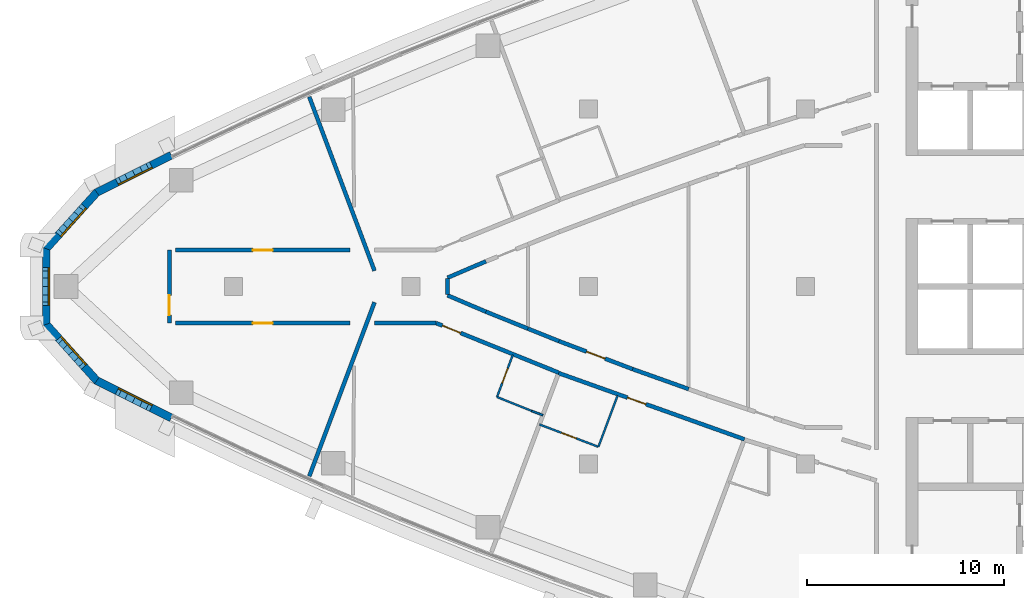
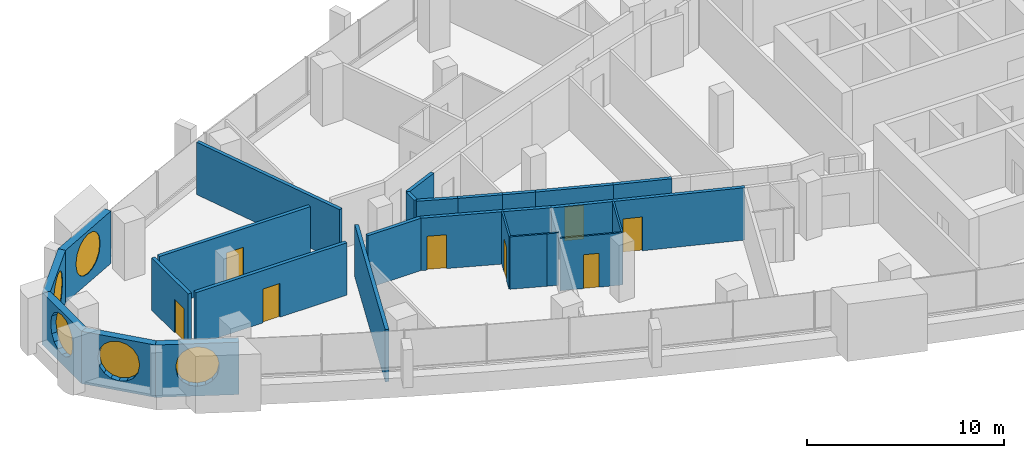
# One storey, part 8 of 16: 25 walls, 8 doors, 5 windows, 13 openings.
"""IFC4 building model written with IfcOpenShell, lengths in metres."""

from ifc_helpers import new_model, si_unit, direction, frame, frame_2d, origin, place, context, subcontext, project, spatial, polyline, rectangle, outline, extrude, material, layer, layer_set, type_object, element, fill, save


model = new_model("IFC4")

# Units and contexts
model_context = context("Model", 3, precision=1e-05, world=origin(), true_north=direction((0.0, 1.0)))
body_context = subcontext(model_context, "Body", "Model", "MODEL_VIEW")
ifc_project = project(units=[si_unit("LENGTHUNIT", "METRE"), si_unit("AREAUNIT", "SQUARE_METRE"), si_unit("VOLUMEUNIT", "CUBIC_METRE"), si_unit("PLANEANGLEUNIT", "RADIAN"), si_unit("MASSUNIT", "GRAM", prefix="KILO")], contexts=[model_context])

# Site, building, storey
site_placement = place(None, origin())
site = spatial("IfcSite", under=ifc_project, at=site_placement, CompositionType="ELEMENT")
building_placement = place(site_placement, origin())
building = spatial("IfcBuilding", under=site, at=building_placement, Name="Ostrand Prow Hotel Tower", CompositionType="ELEMENT")
storey_placement = place(building_placement, frame((0.0, 0.0, 227.89990234375)))
storey = spatial("IfcBuildingStorey", under=building, at=storey_placement, Name="L57", CompositionType="ELEMENT", Elevation=227.89990234375)

# Wall, opening, door
ifc_material_1 = material(Name="Plasterboard partition")
ifc_layer_1 = layer(ifc_material_1, 0.10009765625)
ifc_layer_set_1 = layer_set([ifc_layer_1], Name="Plasterboard partition")
wall_type_1 = type_object("IfcWallType", Name="Partition 100 bathroom wall", PredefinedType="PARTITIONING", material=ifc_layer_set_1)
wall_1_placement = place(storey_placement, frame((29.360107421875, -5.599853515625, 0.0), z_axis=(0.0, 0.0, 1.0), x_axis=(0.351158682313, 0.936315961541, 0.0)))
wall_1 = element("IfcWall", 1, at=wall_1_placement, inside=storey, type_object=wall_type_1, Name="BATHROOM WALL", PredefinedType="PARTITIONING", context=body_context, shape_type="SweptSolid", body=[
    extrude(rectangle(XDim=2.277587890625, YDim=0.10009765625, at=frame_2d((1.138671875, 0.0))), origin(), (0.0, 0.0, 1.0), 3.25),
])
opening_1_placement = place(wall_1_placement, frame((0.75, 0.0, 0.0)))
opening_1 = element("IfcOpeningElement", 2, at=opening_1_placement, cuts=wall_1, Name="Opening D2", PredefinedType="OPENING", context=body_context, shape_type="SweptSolid", body=[
    extrude(rectangle(XDim=0.800048828125, YDim=2.10009765625, at=frame_2d((0.39990234375, 1.050048828125))), frame((0.0, 0.06005859375, 0.0), z_axis=(0.0, -1.0, 0.0), x_axis=(1.0, 0.0, 0.0)), (0.0, 0.0, 1.0), 0.1201171875),
])
ifc_material_2 = material(Name="Timber door leaf", Category="wood")
door_type_1 = type_object("IfcDoorType", Name="Bathroom door 800", OperationType="SINGLE_SWING_LEFT", PredefinedType="DOOR", material=ifc_material_2)
door_1_placement = place(opening_1_placement, origin())
door_1 = element("IfcDoor", 3, at=door_1_placement, inside=storey, type_object=door_type_1, Name="DOOR", OperationType="SINGLE_SWING_LEFT", OverallHeight=2.10009765625, OverallWidth=0.800048828125, PredefinedType="DOOR", context=body_context, shape_type="SweptSolid", body=[
    extrude(rectangle(XDim=0.800048828125, YDim=2.10009765625, at=frame_2d((0.39990234375, 1.050048828125))), frame((0.0, 0.02490234375, 0.0), z_axis=(0.0, -1.0, 0.0), x_axis=(1.0, 0.0, 0.0)), (0.0, 0.0, 1.0), 0.050048828125),
])
fill(opening_1, door_1)

# Walls
wall_2_placement = place(storey_placement, frame((31.68408203125, -6.5224609375, 0.0), z_axis=(0.0, 0.0, 1.0), x_axis=(-0.935048188903, 0.354520640342, 0.0)))
element("IfcWall", 4, at=wall_2_placement, inside=storey, type_object=wall_type_1, Name="BATHROOM WALL", PredefinedType="PARTITIONING", context=body_context, shape_type="SweptSolid", body=[
    extrude(rectangle(XDim=0.60595703125, YDim=0.10009765625, at=frame_2d((0.302978515625, 0.0))), origin(), (0.0, 0.0, 1.0), 3.25),
])
wall_3_placement = place(storey_placement, frame((31.117431640625, -6.3076171875, 0.0), z_axis=(0.0, 0.0, 1.0), x_axis=(-0.927594225674, 0.373589283166, 0.0)))
element("IfcWall", 5, at=wall_3_placement, inside=storey, type_object=wall_type_1, Name="BATHROOM WALL", PredefinedType="PARTITIONING", context=body_context, shape_type="SweptSolid", body=[
    extrude(rectangle(XDim=1.89453125, YDim=0.10009765625, at=frame_2d((0.947265625, 0.0))), origin(), (0.0, 0.0, 1.0), 3.25),
])
wall_4_placement = place(storey_placement, frame((35.475341796875, -5.52587890625, 0.0), z_axis=(0.0, 0.0, 1.0), x_axis=(-0.351065630332, -0.936350854755, 0.0)))
element("IfcWall", 6, at=wall_4_placement, inside=storey, type_object=wall_type_1, Name="BATHROOM WALL", PredefinedType="PARTITIONING", context=body_context, shape_type="SweptSolid", body=[
    extrude(rectangle(XDim=2.77685546875, YDim=0.10009765625, at=frame_2d((1.388427734375, 0.0))), origin(), (0.0, 0.0, 1.0), 3.25),
])

# Wall, opening, door
wall_5_placement = place(storey_placement, frame((34.500244140625, -8.1259765625, 0.0), z_axis=(0.0, 0.0, 1.0), x_axis=(-0.934948661714, 0.354783032232, 0.0)))
wall_5 = element("IfcWall", 7, at=wall_5_placement, inside=storey, type_object=wall_type_1, Name="BATHROOM WALL", PredefinedType="PARTITIONING", context=body_context, shape_type="SweptSolid", body=[
    extrude(rectangle(XDim=3.199951171875, YDim=0.10009765625, at=frame_2d((1.60009765625, 0.0))), origin(), (0.0, 0.0, 1.0), 3.25),
])
opening_2_placement = place(wall_5_placement, frame((1.199951171875, 0.0, 0.0)))
opening_2 = element("IfcOpeningElement", 8, at=opening_2_placement, cuts=wall_5, Name="Opening D2", PredefinedType="OPENING", context=body_context, shape_type="SweptSolid", body=[
    extrude(rectangle(XDim=0.800048828125, YDim=2.10009765625, at=frame_2d((0.39990234375, 1.050048828125))), frame((0.0, 0.06005859375, 0.0), z_axis=(0.0, -1.0, 0.0), x_axis=(1.0, 0.0, 0.0)), (0.0, 0.0, 1.0), 0.1201171875),
])
door_2_placement = place(opening_2_placement, origin())
door_2 = element("IfcDoor", 9, at=door_2_placement, inside=storey, type_object=door_type_1, Name="DOOR", OperationType="SINGLE_SWING_LEFT", OverallHeight=2.10009765625, OverallWidth=0.800048828125, PredefinedType="DOOR", context=body_context, shape_type="SweptSolid", body=[
    extrude(rectangle(XDim=0.800048828125, YDim=2.10009765625, at=frame_2d((0.39990234375, 1.050048828125))), frame((0.0, 0.02490234375, 0.0), z_axis=(0.0, -1.0, 0.0), x_axis=(1.0, 0.0, 0.0)), (0.0, 0.0, 1.0), 0.050048828125),
])
fill(opening_2, door_2)

ifc_material_3 = material(Name="Plasterboard partition")
ifc_layer_2 = layer(ifc_material_3, 0.199951171875)
ifc_layer_set_2 = layer_set([ifc_layer_2], Name="Plasterboard partition")
wall_type_2 = type_object("IfcWallType", Name="Partition 200 corridor wall", PredefinedType="PARTITIONING", material=ifc_layer_set_2)
wall_6_placement = place(storey_placement, frame((13.051513671875, 1.85009765625, 0.0), z_axis=(0.0, 0.0, 1.0), x_axis=(1.0, 0.0, 0.0)))
wall_6 = element("IfcWall", 10, at=wall_6_placement, inside=storey, type_object=wall_type_2, Name="CORRIDOR WALL", PredefinedType="PARTITIONING", context=body_context, shape_type="SweptSolid", body=[
    extrude(rectangle(XDim=8.86083984375, YDim=0.199951171875, at=frame_2d((4.430419921875, 0.0))), origin(), (0.0, 0.0, 1.0), 3.25),
])
opening_3_placement = place(wall_6_placement, frame((3.930419921875, 0.0, 0.0)))
opening_3 = element("IfcOpeningElement", 11, at=opening_3_placement, cuts=wall_6, Name="Opening D1", PredefinedType="OPENING", context=body_context, shape_type="SweptSolid", body=[
    extrude(rectangle(XDim=1.0, YDim=2.10009765625, at=frame_2d((0.5, 1.050048828125))), frame((0.0, 0.10986328125, 0.0), z_axis=(0.0, -1.0, 0.0), x_axis=(1.0, 0.0, 0.0)), (0.0, 0.0, 1.0), 0.219970703125),
])
ifc_material_4 = material(Name="Timber door leaf", Category="wood")
door_type_2 = type_object("IfcDoorType", Name="Guest room door 1000", OperationType="SINGLE_SWING_LEFT", PredefinedType="DOOR", material=ifc_material_4)
door_3_placement = place(opening_3_placement, origin())
door_3 = element("IfcDoor", 12, at=door_3_placement, inside=storey, type_object=door_type_2, Name="DOOR", OperationType="SINGLE_SWING_LEFT", OverallHeight=2.10009765625, OverallWidth=1.0, PredefinedType="DOOR", context=body_context, shape_type="SweptSolid", body=[
    extrude(rectangle(XDim=1.0, YDim=2.10009765625, at=frame_2d((0.5, 1.050048828125))), frame((0.0, 0.02490234375, 0.0), z_axis=(0.0, -1.0, 0.0), x_axis=(1.0, 0.0, 0.0)), (0.0, 0.0, 1.0), 0.050048828125),
])
fill(opening_3, door_3)

wall_7_placement = place(storey_placement, frame((13.051513671875, -1.85009765625, 0.0), z_axis=(0.0, 0.0, 1.0), x_axis=(1.0, 0.0, 0.0)))
wall_7 = element("IfcWall", 13, at=wall_7_placement, inside=storey, type_object=wall_type_2, Name="CORRIDOR WALL", PredefinedType="PARTITIONING", context=body_context, shape_type="SweptSolid", body=[
    extrude(rectangle(XDim=8.86083984375, YDim=0.199951171875, at=frame_2d((4.430419921875, 0.0))), origin(), (0.0, 0.0, 1.0), 3.25),
])
opening_4_placement = place(wall_7_placement, frame((3.930419921875, 0.0, 0.0)))
opening_4 = element("IfcOpeningElement", 14, at=opening_4_placement, cuts=wall_7, Name="Opening D1R", PredefinedType="OPENING", context=body_context, shape_type="SweptSolid", body=[
    extrude(rectangle(XDim=1.0, YDim=2.10009765625, at=frame_2d((0.5, 1.050048828125))), frame((0.0, 0.10986328125, 0.0), z_axis=(0.0, -1.0, 0.0), x_axis=(1.0, 0.0, 0.0)), (0.0, 0.0, 1.0), 0.219970703125),
])
ifc_material_5 = material(Name="Timber door leaf", Category="wood")
door_type_3 = type_object("IfcDoorType", Name="Guest room door 1000 right", OperationType="SINGLE_SWING_RIGHT", PredefinedType="DOOR", material=ifc_material_5)
door_4_placement = place(opening_4_placement, origin())
door_4 = element("IfcDoor", 15, at=door_4_placement, inside=storey, type_object=door_type_3, Name="DOOR", OperationType="SINGLE_SWING_RIGHT", OverallHeight=2.10009765625, OverallWidth=1.0, PredefinedType="DOOR", context=body_context, shape_type="SweptSolid", body=[
    extrude(rectangle(XDim=1.0, YDim=2.10009765625, at=frame_2d((0.5, 1.050048828125))), frame((0.0, 0.02490234375, 0.0), z_axis=(0.0, -1.0, 0.0), x_axis=(1.0, 0.0, 0.0)), (0.0, 0.0, 1.0), 0.050048828125),
])
fill(opening_4, door_4)

wall_8_placement = place(storey_placement, frame((26.265869140625, -1.85009765625, 0.0), z_axis=(0.0, 0.0, 1.0), x_axis=(0.927007906702, -0.375041785555, 0.0)))
wall_8 = element("IfcWall", 16, at=wall_8_placement, inside=storey, type_object=wall_type_2, Name="CORRIDOR WALL", PredefinedType="PARTITIONING", context=body_context, shape_type="SweptSolid", body=[
    extrude(rectangle(XDim=6.716064453125, YDim=0.199951171875, at=frame_2d((3.35791015625, 0.0))), origin(), (0.0, 0.0, 1.0), 3.25),
])
opening_5_placement = place(wall_8_placement, frame((0.35009765625, 0.0, 0.0)))
opening_5 = element("IfcOpeningElement", 17, at=opening_5_placement, cuts=wall_8, Name="Opening D1", PredefinedType="OPENING", context=body_context, shape_type="SweptSolid", body=[
    extrude(rectangle(XDim=1.0, YDim=2.10009765625, at=frame_2d((0.5, 1.050048828125))), frame((0.0, 0.10986328125, 0.0), z_axis=(0.0, -1.0, 0.0), x_axis=(1.0, 0.0, 0.0)), (0.0, 0.0, 1.0), 0.219970703125),
])
door_5_placement = place(opening_5_placement, origin())
door_5 = element("IfcDoor", 18, at=door_5_placement, inside=storey, type_object=door_type_2, Name="DOOR", OperationType="SINGLE_SWING_LEFT", OverallHeight=2.10009765625, OverallWidth=1.0, PredefinedType="DOOR", context=body_context, shape_type="SweptSolid", body=[
    extrude(rectangle(XDim=1.0, YDim=2.10009765625, at=frame_2d((0.5, 1.050048828125))), frame((0.0, 0.02490234375, 0.0), z_axis=(0.0, -1.0, 0.0), x_axis=(1.0, 0.0, 0.0)), (0.0, 0.0, 1.0), 0.050048828125),
])
fill(opening_5, door_5)

wall_9_placement = place(storey_placement, frame((32.484619140625, -4.3876953125, 0.0), z_axis=(0.0, 0.0, 1.0), x_axis=(0.941953797829, -0.335742524498, 0.0)))
wall_9 = element("IfcWall", 19, at=wall_9_placement, inside=storey, type_object=wall_type_2, Name="CORRIDOR WALL", PredefinedType="PARTITIONING", context=body_context, shape_type="SweptSolid", body=[
    extrude(rectangle(XDim=10.00146484375, YDim=0.199951171875, at=frame_2d((5.000732421875, 0.0))), origin(), (0.0, 0.0, 1.0), 3.25),
])
opening_6_placement = place(wall_9_placement, frame((3.699951171875, 0.0, 0.0)))
opening_6 = element("IfcOpeningElement", 20, at=opening_6_placement, cuts=wall_9, Name="Opening D1", PredefinedType="OPENING", context=body_context, shape_type="SweptSolid", body=[
    extrude(rectangle(XDim=1.0, YDim=2.10009765625, at=frame_2d((0.5, 1.050048828125))), frame((0.0, 0.10986328125, 0.0), z_axis=(0.0, -1.0, 0.0), x_axis=(1.0, 0.0, 0.0)), (0.0, 0.0, 1.0), 0.219970703125),
])
door_6_placement = place(opening_6_placement, origin())
door_6 = element("IfcDoor", 21, at=door_6_placement, inside=storey, type_object=door_type_2, Name="DOOR", OperationType="SINGLE_SWING_LEFT", OverallHeight=2.10009765625, OverallWidth=1.0, PredefinedType="DOOR", context=body_context, shape_type="SweptSolid", body=[
    extrude(rectangle(XDim=1.0, YDim=2.10009765625, at=frame_2d((0.5, 1.050048828125))), frame((0.0, 0.02490234375, 0.0), z_axis=(0.0, -1.0, 0.0), x_axis=(1.0, 0.0, 0.0)), (0.0, 0.0, 1.0), 0.050048828125),
])
fill(opening_6, door_6)

# Walls
for number, where, z_axis, x_axis, name in (
    (22, (28.795654296875, -1.276123046875, 0.0), (0.0, 0.0, 1.0), (-0.91990756443, 0.392135273732, 0.0), "CORRIDOR WALL"),
    (23, (26.85009765625, 0.44677734375, 0.0), (0.0, 0.0, 1.0), (0.91990756443, 0.392135273732, 0.0), "CORRIDOR WALL"),
):
    element("IfcWall", number, at=place(storey_placement, frame(where, z_axis=z_axis, x_axis=x_axis)), inside=storey, type_object=wall_type_2, Name=name, PredefinedType="PARTITIONING", context=body_context, shape_type="SweptSolid", body=[
        extrude(rectangle(XDim=2.114990234375, YDim=0.199951171875, at=frame_2d((1.0576171875, 0.0))), origin(), (0.0, 0.0, 1.0), 3.25),
    ])
wall_10_placement = place(storey_placement, frame((30.926025390625, -2.134033203125, 0.0), z_axis=(0.0, 0.0, 1.0), x_axis=(-0.927609077038, 0.373552406224, 0.0)))
element("IfcWall", 24, at=wall_10_placement, inside=storey, type_object=wall_type_2, Name="CORRIDOR WALL", PredefinedType="PARTITIONING", context=body_context, shape_type="SweptSolid", body=[
    extrude(rectangle(XDim=2.296630859375, YDim=0.199951171875, at=frame_2d((1.1484375, 0.0))), origin(), (0.0, 0.0, 1.0), 3.25),
])

# Wall, opening, door
wall_11_placement = place(storey_placement, frame((36.236328125, -4.185546875, 0.0), z_axis=(0.0, 0.0, 1.0), x_axis=(-0.934950696546, 0.354777669856, 0.0)))
wall_11 = element("IfcWall", 25, at=wall_11_placement, inside=storey, type_object=wall_type_2, Name="CORRIDOR WALL", PredefinedType="PARTITIONING", context=body_context, shape_type="SweptSolid", body=[
    extrude(rectangle(XDim=3.99462890625, YDim=0.199951171875, at=frame_2d((1.997314453125, 0.0))), origin(), (0.0, 0.0, 1.0), 3.25),
])
opening_7_placement = place(wall_11_placement, frame((1.49755859375, 0.0, 0.0)))
opening_7 = element("IfcOpeningElement", 26, at=opening_7_placement, cuts=wall_11, Name="Opening D1", PredefinedType="OPENING", context=body_context, shape_type="SweptSolid", body=[
    extrude(rectangle(XDim=1.0, YDim=2.10009765625, at=frame_2d((0.5, 1.050048828125))), frame((0.0, 0.10986328125, 0.0), z_axis=(0.0, -1.0, 0.0), x_axis=(1.0, 0.0, 0.0)), (0.0, 0.0, 1.0), 0.219970703125),
])
door_7_placement = place(opening_7_placement, origin())
door_7 = element("IfcDoor", 27, at=door_7_placement, inside=storey, type_object=door_type_2, Name="DOOR", OperationType="SINGLE_SWING_LEFT", OverallHeight=2.10009765625, OverallWidth=1.0, PredefinedType="DOOR", context=body_context, shape_type="SweptSolid", body=[
    extrude(rectangle(XDim=1.0, YDim=2.10009765625, at=frame_2d((0.5, 1.050048828125))), frame((0.0, 0.02490234375, 0.0), z_axis=(0.0, -1.0, 0.0), x_axis=(1.0, 0.0, 0.0)), (0.0, 0.0, 1.0), 0.050048828125),
])
fill(opening_7, door_7)

# Walls
wall_12_placement = place(storey_placement, frame((39.078369140625, -5.198974609375, 0.0), z_axis=(0.0, 0.0, 1.0), x_axis=(-0.941908381697, 0.335869916023, 0.0)))
element("IfcWall", 28, at=wall_12_placement, inside=storey, type_object=wall_type_2, Name="CORRIDOR WALL", PredefinedType="PARTITIONING", context=body_context, shape_type="SweptSolid", body=[
    extrude(rectangle(XDim=3.017333984375, YDim=0.199951171875, at=frame_2d((1.5087890625, 0.0))), origin(), (0.0, 0.0, 1.0), 3.25),
])
wall_13_placement = place(storey_placement, frame((32.50146484375, -2.768310546875, 0.0), z_axis=(0.0, 0.0, 1.0), x_axis=(-0.927641577565, 0.373471690456, 0.0)))
element("IfcWall", 29, at=wall_13_placement, inside=storey, type_object=wall_type_2, Name="CORRIDOR WALL", PredefinedType="PARTITIONING", context=body_context, shape_type="SweptSolid", body=[
    extrude(rectangle(XDim=1.6982421875, YDim=0.199951171875, at=frame_2d((0.84912109375, 0.0))), origin(), (0.0, 0.0, 1.0), 3.25),
])
wall_14_placement = place(storey_placement, frame((26.85498046875, -0.406982421875, 0.0), z_axis=(0.0, 0.0, 1.0), x_axis=(0.0, 1.0, 0.0)))
element("IfcWall", 30, at=wall_14_placement, inside=storey, type_object=wall_type_2, Name="CORRIDOR WALL", PredefinedType="PARTITIONING", context=body_context, shape_type="SweptSolid", body=[
    extrude(rectangle(XDim=0.81396484375, YDim=0.199951171875, at=frame_2d((0.406982421875, 0.0))), origin(), (0.0, 0.0, 1.0), 3.25),
])
wall_15_placement = place(storey_placement, frame((23.148193359375, -1.8544921875, 0.0), z_axis=(0.0, 0.0, 1.0), x_axis=(0.999999006581, 0.001409552241, 0.0)))
element("IfcWall", 31, at=wall_15_placement, inside=storey, type_object=wall_type_2, Name="CORRIDOR WALL", PredefinedType="PARTITIONING", context=body_context, shape_type="SweptSolid", body=[
    extrude(rectangle(XDim=3.11767578125, YDim=0.199951171875, at=frame_2d((1.558837890625, 0.0))), origin(), (0.0, 0.0, 1.0), 3.25),
])
ifc_material_6 = material(Name="Plasterboard partition")
ifc_layer_3 = layer(ifc_material_6, 0.199951171875)
ifc_layer_set_3 = layer_set([ifc_layer_3], Name="Plasterboard partition")
wall_type_3 = type_object("IfcWallType", Name="Partition 200 key partition", PredefinedType="PARTITIONING", material=ifc_layer_set_3)
for number, where, z_axis, x_axis, name in (
    (32, (23.14990234375, 0.800048828125, 0.0), (0.0, 0.0, 1.0), (-0.351123441588, 0.936329177569, 0.0), "KEY PARTITION"),
    (33, (19.84375, -9.616455078125, 0.0), (0.0, 0.0, 1.0), (0.351123441588, 0.936329177569, 0.0), "KEY PARTITION"),
):
    element("IfcWall", number, at=place(storey_placement, frame(where, z_axis=z_axis, x_axis=x_axis)), inside=storey, type_object=wall_type_3, Name=name, PredefinedType="PARTITIONING", context=body_context, shape_type="SweptSolid", body=[
        extrude(rectangle(XDim=9.416015625, YDim=0.199951171875, at=frame_2d((4.7080078125, 0.0))), origin(), (0.0, 0.0, 1.0), 3.25),
    ])

# Wall, opening, door
ifc_material_7 = material(Name="Plasterboard partition")
ifc_layer_4 = layer(ifc_material_7, 0.199951171875)
ifc_layer_set_4 = layer_set([ifc_layer_4], Name="Plasterboard partition")
wall_type_4 = type_object("IfcWallType", Name="Partition 200 lounge wall", PredefinedType="PARTITIONING", material=ifc_layer_set_4)
wall_16_placement = place(storey_placement, frame((12.75146484375, -1.85009765625, 0.0), z_axis=(0.0, 0.0, 1.0), x_axis=(0.0, 1.0, 0.0)))
wall_16 = element("IfcWall", 34, at=wall_16_placement, inside=storey, type_object=wall_type_4, Name="LOUNGE WALL", PredefinedType="PARTITIONING", context=body_context, shape_type="SweptSolid", body=[
    extrude(rectangle(XDim=3.7001953125, YDim=0.199951171875, at=frame_2d((1.85009765625, 0.0))), origin(), (0.0, 0.0, 1.0), 3.25),
])
opening_8_placement = place(wall_16_placement, frame((0.39990234375, 0.0, 0.0)))
opening_8 = element("IfcOpeningElement", 35, at=opening_8_placement, cuts=wall_16, Name="Opening D1", PredefinedType="OPENING", context=body_context, shape_type="SweptSolid", body=[
    extrude(rectangle(XDim=1.0, YDim=2.10009765625, at=frame_2d((0.5, 1.050048828125))), frame((0.0, 0.10986328125, 0.0), z_axis=(0.0, -1.0, 0.0), x_axis=(1.0, 0.0, 0.0)), (0.0, 0.0, 1.0), 0.219970703125),
])
door_8_placement = place(opening_8_placement, origin())
door_8 = element("IfcDoor", 36, at=door_8_placement, inside=storey, type_object=door_type_2, Name="DOOR", OperationType="SINGLE_SWING_LEFT", OverallHeight=2.10009765625, OverallWidth=1.0, PredefinedType="DOOR", context=body_context, shape_type="SweptSolid", body=[
    extrude(rectangle(XDim=1.0, YDim=2.10009765625, at=frame_2d((0.5, 1.050048828125))), frame((0.0, 0.02490234375, 0.0), z_axis=(0.0, -1.0, 0.0), x_axis=(1.0, 0.0, 0.0)), (0.0, 0.0, 1.0), 0.050048828125),
])
fill(opening_8, door_8)

# Wall, opening, window
ifc_material_8 = material(Name="Precast concrete C40/50", Category="concrete")
ifc_layer_5 = layer(ifc_material_8, 0.39990234375)
ifc_layer_set_5 = layer_set([ifc_layer_5], Name="Precast concrete C40/50")
wall_type_5 = type_object("IfcWallType", Name="Stone-faced precast wall 400 mm", PredefinedType="NOTDEFINED", material=ifc_layer_set_5)
wall_17_placement = place(storey_placement, frame((12.849365234375, 6.66064453125, 0.0), z_axis=(0.0, 0.0, 1.0), x_axis=(-0.894554263274, -0.446959360634, 0.0)))
wall_17 = element("IfcWall", 37, at=wall_17_placement, inside=storey, type_object=wall_type_5, Name="Stone-faced wall prow 1", PredefinedType="NOTDEFINED", context=body_context, shape_type="SweptSolid", body=[
    extrude(outline(polyline([(0.0, -0.199951171875), (4.263671875, -0.199951171875), (4.1875, 0.199951171875), (0.0, 0.199951171875), (0.0, -0.199951171875)])), origin(), (0.0, 0.0, 1.0), 3.25),
])
opening_9_placement = place(wall_17_placement, frame((1.012939453125, 0.0, 0.60009765625)))
opening_9 = element("IfcOpeningElement", 38, at=opening_9_placement, cuts=wall_17, Name="Opening WP2", PredefinedType="OPENING", context=body_context, shape_type="SweptSolid", body=[
    extrude(outline(polyline([(0.0, 1.35009765625), (0.083740234375, 1.77099609375), (0.322265625, 2.127685546875), (0.678955078125, 2.3662109375), (1.10009765625, 2.449951171875), (1.52099609375, 2.3662109375), (1.877685546875, 2.127685546875), (2.1162109375, 1.77099609375), (2.199951171875, 1.35009765625), (2.199951171875, 1.10009765625), (2.1162109375, 0.678955078125), (1.877685546875, 0.322265625), (1.52099609375, 0.083740234375), (1.10009765625, 0.0), (0.678955078125, 0.083740234375), (0.322265625, 0.322265625), (0.083740234375, 0.678955078125), (0.0, 1.099853515625), (0.0, 1.35009765625)])), frame((0.0, 0.2099609375, 0.0), z_axis=(0.0, -1.0, 0.0), x_axis=(1.0, 0.0, 0.0)), (0.0, 0.0, 1.0), 0.419921875),
])
ifc_material_9 = material(Name="Insulated glass in bronze frame", Category="glass")
window_type = type_object("IfcWindowType", Name="Round-ended prow lounge window 2200x2450", PartitioningType="SINGLE_PANEL", PredefinedType="WINDOW", material=ifc_material_9)
window_1_placement = place(opening_9_placement, origin())
window_1 = element("IfcWindow", 39, at=window_1_placement, inside=storey, type_object=window_type, Name="Window prow 1.1", OverallHeight=2.449951171875, OverallWidth=2.199951171875, PartitioningType="SINGLE_PANEL", PredefinedType="WINDOW", context=body_context, shape_type="SweptSolid", body=[
    extrude(outline(polyline([(0.0, 1.35009765625), (0.083740234375, 1.77099609375), (0.322265625, 2.127685546875), (0.678955078125, 2.3662109375), (1.10009765625, 2.449951171875), (1.52099609375, 2.3662109375), (1.877685546875, 2.127685546875), (2.1162109375, 1.77099609375), (2.199951171875, 1.35009765625), (2.199951171875, 1.10009765625), (2.1162109375, 0.678955078125), (1.877685546875, 0.322265625), (1.52099609375, 0.083740234375), (1.10009765625, 0.0), (0.678955078125, 0.083740234375), (0.322265625, 0.322265625), (0.083740234375, 0.678955078125), (0.0, 1.099853515625), (0.0, 1.35009765625)])), frame((0.0, 0.169921875, 0.0), z_axis=(0.0, -1.0, 0.0), x_axis=(1.0, 0.0, 0.0)), (0.0, 0.0, 1.0), 0.06005859375),
])
fill(opening_9, window_1)

wall_18_placement = place(storey_placement, frame((9.0693359375, 4.77197265625, 0.0), z_axis=(0.0, 0.0, 1.0), x_axis=(-0.668018215058, -0.744144921605, 0.0)))
wall_18 = element("IfcWall", 40, at=wall_18_placement, inside=storey, type_object=wall_type_5, Name="Stone-faced wall prow 2", PredefinedType="NOTDEFINED", context=body_context, shape_type="SweptSolid", body=[
    extrude(outline(polyline([(-0.0380859375, -0.199951171875), (3.912353515625, -0.199951171875), (3.759033203125, 0.199951171875), (0.0380859375, 0.199951171875), (-0.0380859375, -0.199951171875)])), origin(), (0.0, 0.0, 1.0), 3.25),
])
opening_10_placement = place(wall_18_placement, frame((0.81787109375, 0.0, 0.60009765625)))
opening_10 = element("IfcOpeningElement", 41, at=opening_10_placement, cuts=wall_18, Name="Opening WP2", PredefinedType="OPENING", context=body_context, shape_type="SweptSolid", body=[
    extrude(outline(polyline([(0.0, 1.35009765625), (0.083740234375, 1.77099609375), (0.322265625, 2.127685546875), (0.678955078125, 2.3662109375), (1.10009765625, 2.449951171875), (1.52099609375, 2.3662109375), (1.877685546875, 2.127685546875), (2.1162109375, 1.77099609375), (2.199951171875, 1.35009765625), (2.199951171875, 1.10009765625), (2.1162109375, 0.678955078125), (1.877685546875, 0.322265625), (1.52099609375, 0.083740234375), (1.10009765625, 0.0), (0.678955078125, 0.083740234375), (0.322265625, 0.322265625), (0.083740234375, 0.678955078125), (0.0, 1.099853515625), (0.0, 1.35009765625)])), frame((0.0, 0.2099609375, 0.0), z_axis=(0.0, -1.0, 0.0), x_axis=(1.0, 0.0, 0.0)), (0.0, 0.0, 1.0), 0.419921875),
])
window_2_placement = place(opening_10_placement, origin())
window_2 = element("IfcWindow", 42, at=window_2_placement, inside=storey, type_object=window_type, Name="Window prow 2.1", OverallHeight=2.449951171875, OverallWidth=2.199951171875, PartitioningType="SINGLE_PANEL", PredefinedType="WINDOW", context=body_context, shape_type="SweptSolid", body=[
    extrude(outline(polyline([(0.0, 1.35009765625), (0.083740234375, 1.77099609375), (0.322265625, 2.127685546875), (0.678955078125, 2.3662109375), (1.10009765625, 2.449951171875), (1.52099609375, 2.3662109375), (1.877685546875, 2.127685546875), (2.1162109375, 1.77099609375), (2.199951171875, 1.35009765625), (2.199951171875, 1.10009765625), (2.1162109375, 0.678955078125), (1.877685546875, 0.322265625), (1.52099609375, 0.083740234375), (1.10009765625, 0.0), (0.678955078125, 0.083740234375), (0.322265625, 0.322265625), (0.083740234375, 0.678955078125), (0.0, 1.099853515625), (0.0, 1.35009765625)])), frame((0.0, 0.169921875, 0.0), z_axis=(0.0, -1.0, 0.0), x_axis=(1.0, 0.0, 0.0)), (0.0, 0.0, 1.0), 0.06005859375),
])
fill(opening_10, window_2)

wall_19_placement = place(storey_placement, frame((6.507080078125, 1.917724609375, 0.0), z_axis=(0.0, 0.0, 1.0), x_axis=(0.0, -1.0, 0.0)))
wall_19 = element("IfcWall", 43, at=wall_19_placement, inside=storey, type_object=wall_type_5, Name="Stone-faced wall prow 3", PredefinedType="NOTDEFINED", context=body_context, shape_type="SweptSolid", body=[
    extrude(outline(polyline([(-0.07666015625, -0.199951171875), (3.912109375, -0.199951171875), (3.7587890625, 0.199951171875), (0.07666015625, 0.199951171875), (-0.07666015625, -0.199951171875)])), origin(), (0.0, 0.0, 1.0), 3.25),
])
opening_11_placement = place(wall_19_placement, frame((0.81787109375, 0.0, 0.60009765625)))
opening_11 = element("IfcOpeningElement", 44, at=opening_11_placement, cuts=wall_19, Name="Opening WP2", PredefinedType="OPENING", context=body_context, shape_type="SweptSolid", body=[
    extrude(outline(polyline([(0.0, 1.35009765625), (0.083740234375, 1.77099609375), (0.322265625, 2.127685546875), (0.678955078125, 2.3662109375), (1.10009765625, 2.449951171875), (1.52099609375, 2.3662109375), (1.877685546875, 2.127685546875), (2.1162109375, 1.77099609375), (2.199951171875, 1.35009765625), (2.199951171875, 1.10009765625), (2.1162109375, 0.678955078125), (1.877685546875, 0.322265625), (1.52099609375, 0.083740234375), (1.10009765625, 0.0), (0.678955078125, 0.083740234375), (0.322265625, 0.322265625), (0.083740234375, 0.678955078125), (0.0, 1.099853515625), (0.0, 1.35009765625)])), frame((0.0, 0.2099609375, 0.0), z_axis=(0.0, -1.0, 0.0), x_axis=(1.0, 0.0, 0.0)), (0.0, 0.0, 1.0), 0.419921875),
])
window_3_placement = place(opening_11_placement, origin())
window_3 = element("IfcWindow", 45, at=window_3_placement, inside=storey, type_object=window_type, Name="Window prow 3.1", OverallHeight=2.449951171875, OverallWidth=2.199951171875, PartitioningType="SINGLE_PANEL", PredefinedType="WINDOW", context=body_context, shape_type="SweptSolid", body=[
    extrude(outline(polyline([(0.0, 1.35009765625), (0.083740234375, 1.77099609375), (0.322265625, 2.127685546875), (0.678955078125, 2.3662109375), (1.10009765625, 2.449951171875), (1.52099609375, 2.3662109375), (1.877685546875, 2.127685546875), (2.1162109375, 1.77099609375), (2.199951171875, 1.35009765625), (2.199951171875, 1.10009765625), (2.1162109375, 0.678955078125), (1.877685546875, 0.322265625), (1.52099609375, 0.083740234375), (1.10009765625, 0.0), (0.678955078125, 0.083740234375), (0.322265625, 0.322265625), (0.083740234375, 0.678955078125), (0.0, 1.099853515625), (0.0, 1.35009765625)])), frame((0.0, 0.169921875, 0.0), z_axis=(0.0, -1.0, 0.0), x_axis=(1.0, 0.0, 0.0)), (0.0, 0.0, 1.0), 0.06005859375),
])
fill(opening_11, window_3)

wall_20_placement = place(storey_placement, frame((6.507080078125, -1.917724609375, 0.0), z_axis=(0.0, 0.0, 1.0), x_axis=(0.668018215058, -0.744144921605, 0.0)))
wall_20 = element("IfcWall", 46, at=wall_20_placement, inside=storey, type_object=wall_type_5, Name="Stone-faced wall prow 4", PredefinedType="NOTDEFINED", context=body_context, shape_type="SweptSolid", body=[
    extrude(outline(polyline([(-0.07666015625, -0.199951171875), (3.873779296875, -0.199951171875), (3.797607421875, 0.199951171875), (0.07666015625, 0.199951171875), (-0.07666015625, -0.199951171875)])), origin(), (0.0, 0.0, 1.0), 3.25),
])
opening_12_placement = place(wall_20_placement, frame((0.81787109375, 0.0, 0.60009765625)))
opening_12 = element("IfcOpeningElement", 47, at=opening_12_placement, cuts=wall_20, Name="Opening WP2", PredefinedType="OPENING", context=body_context, shape_type="SweptSolid", body=[
    extrude(outline(polyline([(0.0, 1.35009765625), (0.083740234375, 1.77099609375), (0.322265625, 2.127685546875), (0.678955078125, 2.3662109375), (1.10009765625, 2.449951171875), (1.52099609375, 2.3662109375), (1.877685546875, 2.127685546875), (2.1162109375, 1.77099609375), (2.199951171875, 1.35009765625), (2.199951171875, 1.10009765625), (2.1162109375, 0.678955078125), (1.877685546875, 0.322265625), (1.52099609375, 0.083740234375), (1.10009765625, 0.0), (0.678955078125, 0.083740234375), (0.322265625, 0.322265625), (0.083740234375, 0.678955078125), (0.0, 1.099853515625), (0.0, 1.35009765625)])), frame((0.0, 0.2099609375, 0.0), z_axis=(0.0, -1.0, 0.0), x_axis=(1.0, 0.0, 0.0)), (0.0, 0.0, 1.0), 0.419921875),
])
window_4_placement = place(opening_12_placement, origin())
window_4 = element("IfcWindow", 48, at=window_4_placement, inside=storey, type_object=window_type, Name="Window prow 4.1", OverallHeight=2.449951171875, OverallWidth=2.199951171875, PartitioningType="SINGLE_PANEL", PredefinedType="WINDOW", context=body_context, shape_type="SweptSolid", body=[
    extrude(outline(polyline([(0.0, 1.35009765625), (0.083740234375, 1.77099609375), (0.322265625, 2.127685546875), (0.678955078125, 2.3662109375), (1.10009765625, 2.449951171875), (1.52099609375, 2.3662109375), (1.877685546875, 2.127685546875), (2.1162109375, 1.77099609375), (2.199951171875, 1.35009765625), (2.199951171875, 1.10009765625), (2.1162109375, 0.678955078125), (1.877685546875, 0.322265625), (1.52099609375, 0.083740234375), (1.10009765625, 0.0), (0.678955078125, 0.083740234375), (0.322265625, 0.322265625), (0.083740234375, 0.678955078125), (0.0, 1.099853515625), (0.0, 1.35009765625)])), frame((0.0, 0.169921875, 0.0), z_axis=(0.0, -1.0, 0.0), x_axis=(1.0, 0.0, 0.0)), (0.0, 0.0, 1.0), 0.06005859375),
])
fill(opening_12, window_4)

wall_21_placement = place(storey_placement, frame((9.0693359375, -4.77197265625, 0.0), z_axis=(0.0, 0.0, 1.0), x_axis=(0.894554263274, -0.446959360634, 0.0)))
wall_21 = element("IfcWall", 49, at=wall_21_placement, inside=storey, type_object=wall_type_5, Name="Stone-faced wall prow 5", PredefinedType="NOTDEFINED", context=body_context, shape_type="SweptSolid", body=[
    extrude(outline(polyline([(-0.0380859375, -0.199951171875), (4.2255859375, -0.199951171875), (4.2255859375, 0.199951171875), (0.0380859375, 0.199951171875), (-0.0380859375, -0.199951171875)])), origin(), (0.0, 0.0, 1.0), 3.25),
])
opening_13_placement = place(wall_21_placement, frame((1.012939453125, 0.0, 0.60009765625)))
opening_13 = element("IfcOpeningElement", 50, at=opening_13_placement, cuts=wall_21, Name="Opening WP2", PredefinedType="OPENING", context=body_context, shape_type="SweptSolid", body=[
    extrude(outline(polyline([(0.0, 1.35009765625), (0.083740234375, 1.77099609375), (0.322265625, 2.127685546875), (0.678955078125, 2.3662109375), (1.10009765625, 2.449951171875), (1.52099609375, 2.3662109375), (1.877685546875, 2.127685546875), (2.1162109375, 1.77099609375), (2.199951171875, 1.35009765625), (2.199951171875, 1.10009765625), (2.1162109375, 0.678955078125), (1.877685546875, 0.322265625), (1.52099609375, 0.083740234375), (1.10009765625, 0.0), (0.678955078125, 0.083740234375), (0.322265625, 0.322265625), (0.083740234375, 0.678955078125), (0.0, 1.099853515625), (0.0, 1.35009765625)])), frame((0.0, 0.2099609375, 0.0), z_axis=(0.0, -1.0, 0.0), x_axis=(1.0, 0.0, 0.0)), (0.0, 0.0, 1.0), 0.419921875),
])
window_5_placement = place(opening_13_placement, origin())
window_5 = element("IfcWindow", 51, at=window_5_placement, inside=storey, type_object=window_type, Name="Window prow 5.1", OverallHeight=2.449951171875, OverallWidth=2.199951171875, PartitioningType="SINGLE_PANEL", PredefinedType="WINDOW", context=body_context, shape_type="SweptSolid", body=[
    extrude(outline(polyline([(0.0, 1.35009765625), (0.083740234375, 1.77099609375), (0.322265625, 2.127685546875), (0.678955078125, 2.3662109375), (1.10009765625, 2.449951171875), (1.52099609375, 2.3662109375), (1.877685546875, 2.127685546875), (2.1162109375, 1.77099609375), (2.199951171875, 1.35009765625), (2.199951171875, 1.10009765625), (2.1162109375, 0.678955078125), (1.877685546875, 0.322265625), (1.52099609375, 0.083740234375), (1.10009765625, 0.0), (0.678955078125, 0.083740234375), (0.322265625, 0.322265625), (0.083740234375, 0.678955078125), (0.0, 1.099853515625), (0.0, 1.35009765625)])), frame((0.0, 0.169921875, 0.0), z_axis=(0.0, -1.0, 0.0), x_axis=(1.0, 0.0, 0.0)), (0.0, 0.0, 1.0), 0.06005859375),
])
fill(opening_13, window_5)

save(model, "model.ifc")
